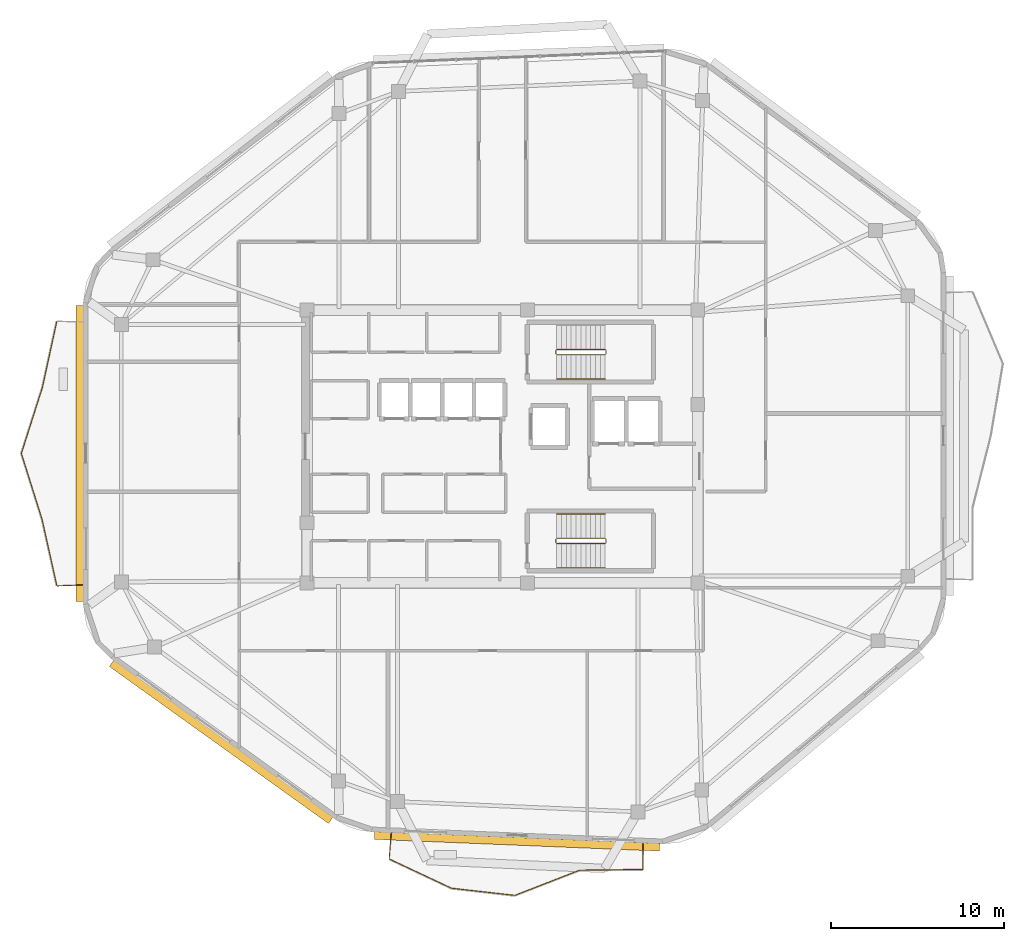
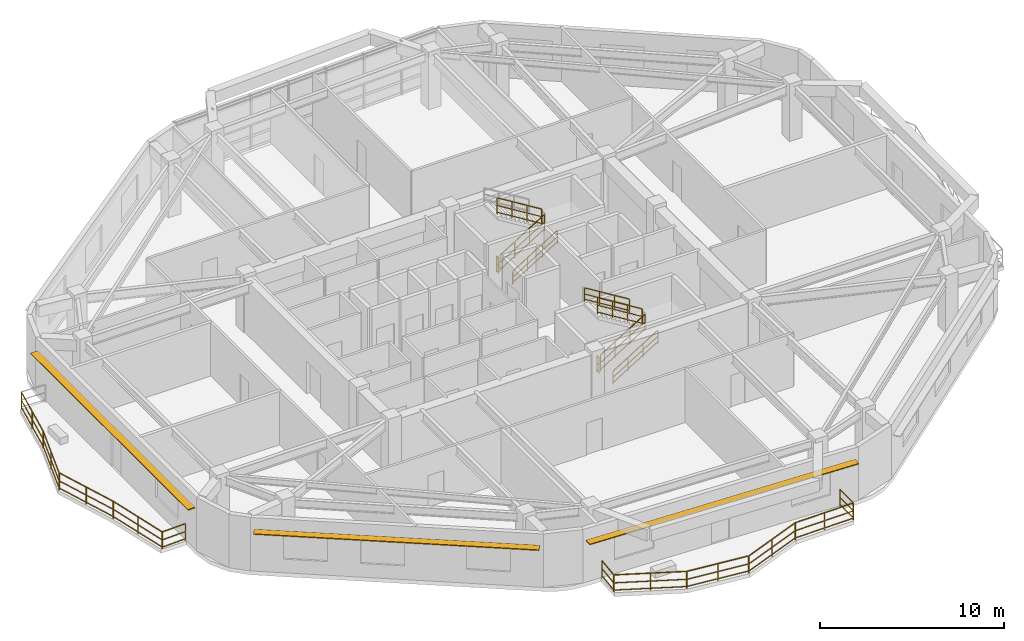
# One storey, part 10 of 12: 20 railings, 3 shading devices.
"""IFC4 building model written with IfcOpenShell, lengths in metres."""

import ifcopenshell
import ifcopenshell.guid

model = None  # the IFC model being written
_history = None  # IfcOwnerHistory: only IFC2X3 demands one
_inside = {}  # id of a spatial element -> (the spatial element, [elements in it])
_under = {}  # id of a project, library or spatial element -> (it, [spatial elements below it])
_declared = {}  # id of a project -> (the project, [libraries it declares])
_typed = {}  # id of a type object -> (the type object, [elements of that type])
_made_of = {}  # id of a material, layer set ... -> (it, [elements and type objects made of it])


def new_model(schema):
    """Start an empty IFC model of exactly this schema.

    Asked for "IFC4X3", IfcOpenShell would pick the latest addendum, in which some entities
    have other attributes; the version numbers below select the first issue.
    IFC2X3 requires an IfcOwnerHistory on every rooted entity: one is made here for all.
    """
    global model, _history
    if schema == "IFC4X3":
        model = ifcopenshell.file(schema_version=(4, 3, 0, 0))
    else:
        model = ifcopenshell.file(schema=schema)
    _inside.clear()
    _under.clear()
    _declared.clear()
    _typed.clear()
    _made_of.clear()
    _history = None
    if model.schema == "IFC2X3":
        org = make("IfcOrganization", Name="unknown")
        user = make(
            "IfcPersonAndOrganization",
            ThePerson=make("IfcPerson", FamilyName="unknown"),
            TheOrganization=org,
        )
        app = make(
            "IfcApplication",
            ApplicationDeveloper=org,
            Version="unknown",
            ApplicationFullName="unknown",
            ApplicationIdentifier="unknown",
        )
        _history = make(
            "IfcOwnerHistory",
            OwningUser=user,
            OwningApplication=app,
            ChangeAction="ADDED",
            CreationDate=0,
        )
    return model


def make(cls, **values):
    """One entity of the class cls with the attributes given. An attribute that is None is left unset."""
    return model.create_entity(
        cls, **{name: value for name, value in values.items() if value is not None}
    )


def rooted(cls, **values):
    """An entity with a GlobalId (a new one), such as an element, a storey or a relation."""
    return make(cls, GlobalId=ifcopenshell.guid.new(), OwnerHistory=_history, **values)


def si_unit(unit_type, name, prefix=None):
    """IfcSIUnit, for example si_unit("LENGTHUNIT", "METRE", prefix="MILLI")."""
    return make("IfcSIUnit", UnitType=unit_type, Prefix=prefix, Name=name)


def assignment(units):
    """IfcUnitAssignment: the units of a project."""
    return None if units is None else make("IfcUnitAssignment", Units=units)


def point(xyz):
    """IfcCartesianPoint."""
    return None if xyz is None else make("IfcCartesianPoint", Coordinates=xyz)


def direction(xyz):
    """IfcDirection."""
    return None if xyz is None else make("IfcDirection", DirectionRatios=xyz)


def frame(location, z_axis=None, x_axis=None):
    """IfcAxis2Placement3D, a coordinate frame: its origin and axes. An axis left out is left unset."""
    return make(
        "IfcAxis2Placement3D",
        Location=point(location),
        Axis=direction(z_axis),
        RefDirection=direction(x_axis),
    )


def frame_2d(location, x_axis=None):
    """IfcAxis2Placement2D, a coordinate frame in the plane: its origin and x axis."""
    return make(
        "IfcAxis2Placement2D", Location=point(location), RefDirection=direction(x_axis)
    )


def origin():
    """The frame at (0, 0, 0) with its axes left unset."""
    return frame((0.0, 0.0, 0.0))


def origin_2d():
    """The frame at (0, 0) in the plane with its x axis left unset."""
    return frame_2d((0.0, 0.0))


def place(relative_to, where):
    """IfcLocalPlacement: puts the frame where relative to a parent placement (None: the world)."""
    return make(
        "IfcLocalPlacement", PlacementRelTo=relative_to, RelativePlacement=where
    )


def context(
    kind, dimensions, precision=None, world=None, true_north=None, identifier=None
):
    """IfcGeometricRepresentationContext, for example the 3D "Model" context."""
    return make(
        "IfcGeometricRepresentationContext",
        ContextIdentifier=identifier,
        ContextType=kind,
        CoordinateSpaceDimension=dimensions,
        Precision=precision,
        WorldCoordinateSystem=world,
        TrueNorth=true_north,
    )


def subcontext(parent, identifier, kind, view, scale=None):
    """IfcGeometricRepresentationSubContext, for example "Body" below "Model"."""
    return make(
        "IfcGeometricRepresentationSubContext",
        ContextIdentifier=identifier,
        ContextType=kind,
        ParentContext=parent,
        TargetScale=scale,
        TargetView=view,
    )


def project(units=None, contexts=None):
    """IfcProject with its units and contexts."""
    return rooted(
        "IfcProject",
        Name="project",
        RepresentationContexts=contexts,
        UnitsInContext=assignment(units),
    )


def spatial(cls, under=None, at=None, **own):
    """A site, building, storey or space (cls), placed at a placement, below another one or the project."""
    s = rooted(cls, ObjectPlacement=at, **own)
    if under is not None:
        _under.setdefault(under.id(), (under, []))[1].append(s)
    return s


def profile(cls, at=None, kind="AREA", **sizes):
    """A parametric profile (cls). Its sizes go by their IFC names, for example OverallWidth=200.0."""
    return make(cls, ProfileType=kind, Position=at, **sizes)


def rectangle(**sizes):
    """IfcRectangleProfileDef."""
    return profile("IfcRectangleProfileDef", **sizes)


def extrude(swept, where, along, depth):
    """IfcExtrudedAreaSolid: the profile swept, set in the frame where, extruded along a direction by depth."""
    return make(
        "IfcExtrudedAreaSolid",
        SweptArea=swept,
        Position=where,
        ExtrudedDirection=direction(along),
        Depth=depth,
    )


def shape(context_of_items, identifier, shape_type, items):
    """IfcShapeRepresentation: the items that make up one representation, for example the "Body"."""
    return make(
        "IfcShapeRepresentation",
        ContextOfItems=context_of_items,
        RepresentationIdentifier=identifier,
        RepresentationType=shape_type,
        Items=items,
    )


def material(Name=None, Category=None):
    """IfcMaterial."""
    return make("IfcMaterial", Name=Name, Category=Category)


def layer(
    of_material, thickness, ventilated=None, Name=None, Category=None, Priority=None
):
    """IfcMaterialLayer: one layer of a wall or slab, of a material (None: an air gap)."""
    return make(
        "IfcMaterialLayer",
        Material=of_material,
        LayerThickness=thickness,
        IsVentilated=ventilated,
        Name=Name,
        Category=Category,
        Priority=Priority,
    )


def layer_set(layers, Name=None):
    """IfcMaterialLayerSet."""
    return make("IfcMaterialLayerSet", MaterialLayers=layers, LayerSetName=Name)


def made_of(thing, what):
    """Note that an element or type object is made of a material, layer set ...; save() writes the relation."""
    if what is not None:
        _made_of.setdefault(what.id(), (what, []))[1].append(thing)
    return thing


def type_object(cls, material=None, **own):
    """A type object (cls), such as IfcWallType, which elements share."""
    return made_of(rooted(cls, **own), material)


def element(
    cls,
    number,
    at=None,
    inside=None,
    cuts=None,
    type_object=None,
    material=None,
    context=None,
    identifier="Body",
    shape_type=None,
    held_by="IfcProductDefinitionShape",
    body=None,
    shapes=None,
    **own,
):
    """One element of the class cls, such as IfcWall. Its Tag is "e" and its number.

    at: its placement. inside: the storey or other place that contains it. cuts: it is an
    opening in that element (IfcRelVoidsElement). A single representation is given by context,
    identifier, shape_type and body (its items); several are given by shapes. held_by: the class
    of the entity that holds the representations. save() writes the other relations.
    """
    e = rooted(cls, Tag="e%d" % number, ObjectPlacement=at, **own)
    if body is not None:
        shapes = [shape(context, identifier, shape_type, body)]
    if shapes is not None:
        e.Representation = make(held_by, Representations=shapes)
    if inside is not None:
        _inside.setdefault(inside.id(), (inside, []))[1].append(e)
    if cuts is not None:
        rooted(
            "IfcRelVoidsElement", RelatingBuildingElement=cuts, RelatedOpeningElement=e
        )
    if type_object is not None:
        _typed.setdefault(type_object.id(), (type_object, []))[1].append(e)
    return made_of(e, material)


def aggregate(whole, parts):
    """IfcRelAggregates: a whole, such as a stair, and the parts it consists of."""
    return rooted("IfcRelAggregates", RelatingObject=whole, RelatedObjects=parts)


def save(model, path):
    """Write the relations noted so far, then the file.

    IfcRelAggregates (storeys below a building ...), IfcRelContainedInSpatialStructure (elements
    in a storey), IfcRelDefinesByType, IfcRelAssociatesMaterial and IfcRelDeclares: one each for
    every whole, place, type object, material and project.
    """
    for whole, parts in _under.values():
        aggregate(whole, parts)
    for where, things in _inside.values():
        rooted(
            "IfcRelContainedInSpatialStructure",
            RelatedElements=things,
            RelatingStructure=where,
        )
    for kind, things in _typed.values():
        rooted("IfcRelDefinesByType", RelatedObjects=things, RelatingType=kind)
    for what, things in _made_of.values():
        rooted("IfcRelAssociatesMaterial", RelatedObjects=things, RelatingMaterial=what)
    for by, libraries in _declared.values():
        rooted("IfcRelDeclares", RelatingContext=by, RelatedDefinitions=libraries)
    model.write(path)


model = new_model("IFC4")

# Units and contexts
model_context = context("Model", 3, precision=1e-05, world=origin(), true_north=direction((0.0, 1.0)))
body_context = subcontext(model_context, "Body", "Model", "MODEL_VIEW")
ifc_project = project(units=[si_unit("LENGTHUNIT", "METRE"), si_unit("AREAUNIT", "SQUARE_METRE"), si_unit("VOLUMEUNIT", "CUBIC_METRE"), si_unit("PLANEANGLEUNIT", "RADIAN"), si_unit("MASSUNIT", "GRAM", prefix="KILO")], contexts=[model_context])

# Site, building, storey
site_placement = place(None, origin())
site = spatial("IfcSite", under=ifc_project, at=site_placement, CompositionType="ELEMENT")
building_placement = place(site_placement, origin())
building = spatial("IfcBuilding", under=site, at=building_placement, Name="Zulverin Broadcast Headquarters", CompositionType="ELEMENT")
storey_placement = place(building_placement, frame((0.0, 0.0, 293.39990234375)))
storey = spatial("IfcBuildingStorey", under=building, at=storey_placement, Name="L75", CompositionType="ELEMENT", Elevation=293.39990234375)

# Railings
ifc_material_1 = material(Name="Brushed stainless steel & laminated glass balustrade", Category="steel")
railing_type_1 = type_object("IfcRailingType", Name="RL-GUARD-1150", PredefinedType="GUARDRAIL", material=ifc_material_1)
railing_1_placement = place(storey_placement, frame((30.580078125, 2.86572265625, 0.0)))
element("IfcRailing", 1, at=railing_1_placement, inside=storey, type_object=railing_type_1, Name="L75 Vertical-Forest Balcony Guardrail BAL_S Segment 01", PredefinedType="GUARDRAIL", context=body_context, shape_type="SweptSolid", body=[
    extrude(rectangle(XDim=0.048095703125, YDim=0.048095703125, at=origin_2d()), frame((0.0, 0.0, 1.1259765625), z_axis=(-0.08159832835, -0.996665296281, 0.0), x_axis=(0.996665296281, -0.08159832835, 0.0)), (0.0, 0.0, 1.0), 1.466064453125),
    extrude(rectangle(XDim=0.0419921875, YDim=0.0419921875, at=origin_2d()), frame((0.0, 0.0, 0.597900390625), z_axis=(-0.08159832835, -0.996665296281, 0.0), x_axis=(0.996665296281, -0.08159832835, 0.0)), (0.0, 0.0, 1.0), 1.466064453125),
    extrude(rectangle(XDim=0.0419921875, YDim=0.0419921875, at=origin_2d()), frame((0.0, 0.0, 0.1201171875), z_axis=(-0.08159832835, -0.996665296281, 0.0), x_axis=(0.996665296281, -0.08159832835, 0.0)), (0.0, 0.0, 1.0), 1.466064453125),
    extrude(rectangle(XDim=0.0419921875, YDim=0.0419921875, at=origin_2d()), origin(), (0.0, 0.0, 1.0), 1.101806640625),
    extrude(rectangle(XDim=0.0419921875, YDim=0.0419921875, at=origin_2d()), frame((-0.11962890625, -1.461181640625, 0.0)), (0.0, 0.0, 1.0), 1.101806640625),
])
railing_2_placement = place(storey_placement, frame((30.472900390625, 1.383056640625, 0.0)))
element("IfcRailing", 2, at=railing_2_placement, inside=storey, type_object=railing_type_1, Name="L75 Vertical-Forest Balcony Guardrail BAL_S Segment 02", PredefinedType="GUARDRAIL", context=body_context, shape_type="SweptSolid", body=[
    extrude(rectangle(XDim=0.048095703125, YDim=0.048095703125, at=origin_2d()), frame((0.0, 0.0, 1.1259765625), z_axis=(0.905312629382, -0.424745857049, 0.0), x_axis=(0.424745857049, 0.905312629382, 0.0)), (0.0, 0.0, 1.0), 3.949462890625),
    extrude(rectangle(XDim=0.0419921875, YDim=0.0419921875, at=origin_2d()), frame((0.0, 0.0, 0.597900390625), z_axis=(0.905312629382, -0.424745857049, 0.0), x_axis=(0.424745857049, 0.905312629382, 0.0)), (0.0, 0.0, 1.0), 3.949462890625),
    extrude(rectangle(XDim=0.0419921875, YDim=0.0419921875, at=origin_2d()), frame((0.0, 0.0, 0.1201171875), z_axis=(0.905312629382, -0.424745857049, 0.0), x_axis=(0.424745857049, 0.905312629382, 0.0)), (0.0, 0.0, 1.0), 3.949462890625),
    extrude(rectangle(XDim=0.0419921875, YDim=0.0419921875, at=origin_2d()), origin(), (0.0, 0.0, 1.0), 1.101806640625),
    extrude(rectangle(XDim=0.0419921875, YDim=0.0419921875, at=origin_2d()), frame((1.78759765625, -0.8388671875, 0.0)), (0.0, 0.0, 1.0), 1.101806640625),
    extrude(rectangle(XDim=0.0419921875, YDim=0.0419921875, at=origin_2d()), frame((3.575439453125, -1.677490234375, 0.0)), (0.0, 0.0, 1.0), 1.101806640625),
])
railing_3_placement = place(storey_placement, frame((34.076904296875, -0.302490234375, 0.0)))
element("IfcRailing", 3, at=railing_3_placement, inside=storey, type_object=railing_type_1, Name="L75 Vertical-Forest Balcony Guardrail BAL_S Segment 03", PredefinedType="GUARDRAIL", context=body_context, shape_type="SweptSolid", body=[
    extrude(rectangle(XDim=0.048095703125, YDim=0.048095703125, at=origin_2d()), frame((0.0, 0.0, 1.1259765625), z_axis=(0.993697909908, -0.11209131922, 0.0), x_axis=(0.11209131922, 0.993697909908, 0.0)), (0.0, 0.0, 1.0), 3.648193359375),
    extrude(rectangle(XDim=0.0419921875, YDim=0.0419921875, at=origin_2d()), frame((0.0, 0.0, 0.597900390625), z_axis=(0.993697909908, -0.11209131922, 0.0), x_axis=(0.11209131922, 0.993697909908, 0.0)), (0.0, 0.0, 1.0), 3.648193359375),
    extrude(rectangle(XDim=0.0419921875, YDim=0.0419921875, at=origin_2d()), frame((0.0, 0.0, 0.1201171875), z_axis=(0.993697909908, -0.11209131922, 0.0), x_axis=(0.11209131922, 0.993697909908, 0.0)), (0.0, 0.0, 1.0), 3.648193359375),
    extrude(rectangle(XDim=0.0419921875, YDim=0.0419921875, at=origin_2d()), origin(), (0.0, 0.0, 1.0), 1.101806640625),
    extrude(rectangle(XDim=0.0419921875, YDim=0.0419921875, at=origin_2d()), frame((1.8125, -0.20458984375, 0.0)), (0.0, 0.0, 1.0), 1.101806640625),
    extrude(rectangle(XDim=0.0419921875, YDim=0.0419921875, at=origin_2d()), frame((3.625244140625, -0.408935546875, 0.0)), (0.0, 0.0, 1.0), 1.101806640625),
])
railing_4_placement = place(storey_placement, frame((37.731201171875, -0.707763671875, 0.0)))
element("IfcRailing", 4, at=railing_4_placement, inside=storey, type_object=railing_type_1, Name="L75 Vertical-Forest Balcony Guardrail BAL_S Segment 04", PredefinedType="GUARDRAIL", context=body_context, shape_type="SweptSolid", body=[
    extrude(rectangle(XDim=0.048095703125, YDim=0.048095703125, at=origin_2d()), frame((0.0, 0.0, 1.1259765625), z_axis=(0.931972385527, 0.362529271391, 0.0), x_axis=(-0.362529271391, 0.931972385527, 0.0)), (0.0, 0.0, 1.0), 3.973876953125),
    extrude(rectangle(XDim=0.0419921875, YDim=0.0419921875, at=origin_2d()), frame((0.0, 0.0, 0.597900390625), z_axis=(0.931972385527, 0.362529271391, 0.0), x_axis=(-0.362529271391, 0.931972385527, 0.0)), (0.0, 0.0, 1.0), 3.973876953125),
    extrude(rectangle(XDim=0.0419921875, YDim=0.0419921875, at=origin_2d()), frame((0.0, 0.0, 0.1201171875), z_axis=(0.931972385527, 0.362529271391, 0.0), x_axis=(-0.362529271391, 0.931972385527, 0.0)), (0.0, 0.0, 1.0), 3.973876953125),
    extrude(rectangle(XDim=0.0419921875, YDim=0.0419921875, at=origin_2d()), origin(), (0.0, 0.0, 1.0), 1.101806640625),
    extrude(rectangle(XDim=0.0419921875, YDim=0.0419921875, at=origin_2d()), frame((1.851806640625, 0.72021484375, 0.0)), (0.0, 0.0, 1.0), 1.101806640625),
    extrude(rectangle(XDim=0.0419921875, YDim=0.0419921875, at=origin_2d()), frame((3.70361328125, 1.440673828125, 0.0)), (0.0, 0.0, 1.0), 1.101806640625),
])
railing_5_placement = place(storey_placement, frame((41.4638671875, 0.73828125, 0.0)))
element("IfcRailing", 5, at=railing_5_placement, inside=storey, type_object=railing_type_1, Name="L75 Vertical-Forest Balcony Guardrail BAL_S Segment 05", PredefinedType="GUARDRAIL", context=body_context, shape_type="SweptSolid", body=[
    extrude(rectangle(XDim=0.048095703125, YDim=0.048095703125, at=origin_2d()), frame((0.0, 0.0, 1.1259765625), z_axis=(0.999912025624, 0.013264275832, 0.0), x_axis=(-0.013264275832, 0.999912025624, 0.0)), (0.0, 0.0, 1.0), 3.644287109375),
    extrude(rectangle(XDim=0.0419921875, YDim=0.0419921875, at=origin_2d()), frame((0.0, 0.0, 0.597900390625), z_axis=(0.999912025624, 0.013264275832, 0.0), x_axis=(-0.013264275832, 0.999912025624, 0.0)), (0.0, 0.0, 1.0), 3.644287109375),
    extrude(rectangle(XDim=0.0419921875, YDim=0.0419921875, at=origin_2d()), frame((0.0, 0.0, 0.1201171875), z_axis=(0.999912025624, 0.013264275832, 0.0), x_axis=(-0.013264275832, 0.999912025624, 0.0)), (0.0, 0.0, 1.0), 3.644287109375),
    extrude(rectangle(XDim=0.0419921875, YDim=0.0419921875, at=origin_2d()), origin(), (0.0, 0.0, 1.0), 1.101806640625),
    extrude(rectangle(XDim=0.0419921875, YDim=0.0419921875, at=origin_2d()), frame((1.822021484375, 0.024169921875, 0.0)), (0.0, 0.0, 1.0), 1.101806640625),
    extrude(rectangle(XDim=0.0419921875, YDim=0.0419921875, at=origin_2d()), frame((3.64404296875, 0.04833984375, 0.0)), (0.0, 0.0, 1.0), 1.101806640625),
])
railing_6_placement = place(storey_placement, frame((45.123046875, 0.8017578125, 0.0)))
element("IfcRailing", 6, at=railing_6_placement, inside=storey, type_object=railing_type_1, Name="L75 Vertical-Forest Balcony Guardrail BAL_S Segment 06", PredefinedType="GUARDRAIL", context=body_context, shape_type="SweptSolid", body=[
    extrude(rectangle(XDim=0.048095703125, YDim=0.048095703125, at=origin_2d()), frame((0.0, 0.0, 1.1259765625), z_axis=(0.000499500437, 0.99999987525, 0.0), x_axis=(-0.99999987525, 0.000499500437, 0.0)), (0.0, 0.0, 1.0), 1.46630859375),
    extrude(rectangle(XDim=0.0419921875, YDim=0.0419921875, at=origin_2d()), frame((0.0, 0.0, 0.597900390625), z_axis=(0.000499500437, 0.99999987525, 0.0), x_axis=(-0.99999987525, 0.000499500437, 0.0)), (0.0, 0.0, 1.0), 1.46630859375),
    extrude(rectangle(XDim=0.0419921875, YDim=0.0419921875, at=origin_2d()), frame((0.0, 0.0, 0.1201171875), z_axis=(0.000499500437, 0.99999987525, 0.0), x_axis=(-0.99999987525, 0.000499500437, 0.0)), (0.0, 0.0, 1.0), 1.46630859375),
    extrude(rectangle(XDim=0.0419921875, YDim=0.0419921875, at=origin_2d()), origin(), (0.0, 0.0, 1.0), 1.101806640625),
    extrude(rectangle(XDim=0.0419921875, YDim=0.0419921875, at=origin_2d()), frame((0.000732421875, 1.46630859375, 0.0)), (0.0, 0.0, 1.0), 1.101806640625),
])
railing_7_placement = place(storey_placement, frame((11.27685546875, 32.433349609375, 0.0)))
element("IfcRailing", 7, at=railing_7_placement, inside=storey, type_object=railing_type_1, Name="L75 Vertical-Forest Balcony Guardrail BAL_W Segment 02", PredefinedType="GUARDRAIL", context=body_context, shape_type="SweptSolid", body=[
    extrude(rectangle(XDim=0.048095703125, YDim=0.048095703125, at=origin_2d()), frame((0.0, 0.0, 1.1259765625), z_axis=(-0.212554923613, -0.977149120886, 0.0), x_axis=(0.977149120886, -0.212554923613, 0.0)), (0.0, 0.0, 1.0), 3.88330078125),
    extrude(rectangle(XDim=0.0419921875, YDim=0.0419921875, at=origin_2d()), frame((0.0, 0.0, 0.597900390625), z_axis=(-0.212554923613, -0.977149120886, 0.0), x_axis=(0.977149120886, -0.212554923613, 0.0)), (0.0, 0.0, 1.0), 3.88330078125),
    extrude(rectangle(XDim=0.0419921875, YDim=0.0419921875, at=origin_2d()), frame((0.0, 0.0, 0.1201171875), z_axis=(-0.212554923613, -0.977149120886, 0.0), x_axis=(0.977149120886, -0.212554923613, 0.0)), (0.0, 0.0, 1.0), 3.88330078125),
    extrude(rectangle(XDim=0.0419921875, YDim=0.0419921875, at=origin_2d()), origin(), (0.0, 0.0, 1.0), 1.101806640625),
    extrude(rectangle(XDim=0.0419921875, YDim=0.0419921875, at=origin_2d()), frame((-0.41259765625, -1.8974609375, 0.0)), (0.0, 0.0, 1.0), 1.101806640625),
    extrude(rectangle(XDim=0.0419921875, YDim=0.0419921875, at=origin_2d()), frame((-0.825439453125, -3.794677734375, 0.0)), (0.0, 0.0, 1.0), 1.101806640625),
])
railing_8_placement = place(storey_placement, frame((10.443603515625, 28.609619140625, 0.0)))
element("IfcRailing", 8, at=railing_8_placement, inside=storey, type_object=railing_type_1, Name="L75 Vertical-Forest Balcony Guardrail BAL_W Segment 03", PredefinedType="GUARDRAIL", context=body_context, shape_type="SweptSolid", body=[
    extrude(rectangle(XDim=0.048095703125, YDim=0.048095703125, at=origin_2d()), frame((0.0, 0.0, 1.1259765625), z_axis=(-0.303512280467, -0.952827526684, 0.0), x_axis=(0.952827526684, -0.303512280467, 0.0)), (0.0, 0.0, 1.0), 3.9833984375),
    extrude(rectangle(XDim=0.0419921875, YDim=0.0419921875, at=origin_2d()), frame((0.0, 0.0, 0.597900390625), z_axis=(-0.303512280467, -0.952827526684, 0.0), x_axis=(0.952827526684, -0.303512280467, 0.0)), (0.0, 0.0, 1.0), 3.9833984375),
    extrude(rectangle(XDim=0.0419921875, YDim=0.0419921875, at=origin_2d()), frame((0.0, 0.0, 0.1201171875), z_axis=(-0.303512280467, -0.952827526684, 0.0), x_axis=(0.952827526684, -0.303512280467, 0.0)), (0.0, 0.0, 1.0), 3.9833984375),
    extrude(rectangle(XDim=0.0419921875, YDim=0.0419921875, at=origin_2d()), origin(), (0.0, 0.0, 1.0), 1.101806640625),
    extrude(rectangle(XDim=0.0419921875, YDim=0.0419921875, at=origin_2d()), frame((-0.6044921875, -1.897705078125, 0.0)), (0.0, 0.0, 1.0), 1.101806640625),
    extrude(rectangle(XDim=0.0419921875, YDim=0.0419921875, at=origin_2d()), frame((-1.208984375, -3.79541015625, 0.0)), (0.0, 0.0, 1.0), 1.101806640625),
])
railing_9_placement = place(storey_placement, frame((9.234619140625, 24.785400390625, 0.0)))
element("IfcRailing", 9, at=railing_9_placement, inside=storey, type_object=railing_type_1, Name="L75 Vertical-Forest Balcony Guardrail BAL_W Segment 04", PredefinedType="GUARDRAIL", context=body_context, shape_type="SweptSolid", body=[
    extrude(rectangle(XDim=0.048095703125, YDim=0.048095703125, at=origin_2d()), frame((0.0, 0.0, 1.1259765625), z_axis=(0.299330213992, -0.954149581036, 0.0), x_axis=(0.954149581036, 0.299330213992, 0.0)), (0.0, 0.0, 1.0), 3.977783203125),
    extrude(rectangle(XDim=0.0419921875, YDim=0.0419921875, at=origin_2d()), frame((0.0, 0.0, 0.597900390625), z_axis=(0.299330213992, -0.954149581036, 0.0), x_axis=(0.954149581036, 0.299330213992, 0.0)), (0.0, 0.0, 1.0), 3.977783203125),
    extrude(rectangle(XDim=0.0419921875, YDim=0.0419921875, at=origin_2d()), frame((0.0, 0.0, 0.1201171875), z_axis=(0.299330213992, -0.954149581036, 0.0), x_axis=(0.954149581036, 0.299330213992, 0.0)), (0.0, 0.0, 1.0), 3.977783203125),
    extrude(rectangle(XDim=0.0419921875, YDim=0.0419921875, at=origin_2d()), origin(), (0.0, 0.0, 1.0), 1.101806640625),
    extrude(rectangle(XDim=0.0419921875, YDim=0.0419921875, at=origin_2d()), frame((0.59521484375, -1.897705078125, 0.0)), (0.0, 0.0, 1.0), 1.101806640625),
    extrude(rectangle(XDim=0.0419921875, YDim=0.0419921875, at=origin_2d()), frame((1.190673828125, -3.79541015625, 0.0)), (0.0, 0.0, 1.0), 1.101806640625),
])
railing_10_placement = place(storey_placement, frame((10.43310546875, 20.961181640625, 0.0)))
element("IfcRailing", 10, at=railing_10_placement, inside=storey, type_object=railing_type_1, Name="L75 Vertical-Forest Balcony Guardrail BAL_W Segment 05", PredefinedType="GUARDRAIL", context=body_context, shape_type="SweptSolid", body=[
    extrude(rectangle(XDim=0.048095703125, YDim=0.048095703125, at=origin_2d()), frame((0.0, 0.0, 1.1259765625), z_axis=(0.216977004099, -0.976176715402, 0.0), x_axis=(0.976176715402, 0.216977004099, 0.0)), (0.0, 0.0, 1.0), 3.887451171875),
    extrude(rectangle(XDim=0.0419921875, YDim=0.0419921875, at=origin_2d()), frame((0.0, 0.0, 0.597900390625), z_axis=(0.216977004099, -0.976176715402, 0.0), x_axis=(0.976176715402, 0.216977004099, 0.0)), (0.0, 0.0, 1.0), 3.887451171875),
    extrude(rectangle(XDim=0.0419921875, YDim=0.0419921875, at=origin_2d()), frame((0.0, 0.0, 0.1201171875), z_axis=(0.216977004099, -0.976176715402, 0.0), x_axis=(0.976176715402, 0.216977004099, 0.0)), (0.0, 0.0, 1.0), 3.887451171875),
    extrude(rectangle(XDim=0.0419921875, YDim=0.0419921875, at=origin_2d()), origin(), (0.0, 0.0, 1.0), 1.101806640625),
    extrude(rectangle(XDim=0.0419921875, YDim=0.0419921875, at=origin_2d()), frame((0.421875, -1.8974609375, 0.0)), (0.0, 0.0, 1.0), 1.101806640625),
    extrude(rectangle(XDim=0.0419921875, YDim=0.0419921875, at=origin_2d()), frame((0.843505859375, -3.794921875, 0.0)), (0.0, 0.0, 1.0), 1.101806640625),
])
railing_11_placement = place(storey_placement, frame((11.294921875, 17.15234375, 0.0)))
element("IfcRailing", 11, at=railing_11_placement, inside=storey, type_object=railing_type_1, Name="L75 Vertical-Forest Balcony Guardrail BAL_W Segment 06", PredefinedType="GUARDRAIL", context=body_context, shape_type="SweptSolid", body=[
    extrude(rectangle(XDim=0.048095703125, YDim=0.048095703125, at=origin_2d()), frame((0.0, 0.0, 1.1259765625), z_axis=(0.999181155166, 0.040460093435, 0.0), x_axis=(-0.040460093435, 0.999181155166, 0.0)), (0.0, 0.0, 1.0), 1.46630859375),
    extrude(rectangle(XDim=0.0419921875, YDim=0.0419921875, at=origin_2d()), frame((0.0, 0.0, 0.597900390625), z_axis=(0.999181155166, 0.040460093435, 0.0), x_axis=(-0.040460093435, 0.999181155166, 0.0)), (0.0, 0.0, 1.0), 1.46630859375),
    extrude(rectangle(XDim=0.0419921875, YDim=0.0419921875, at=origin_2d()), frame((0.0, 0.0, 0.1201171875), z_axis=(0.999181155166, 0.040460093435, 0.0), x_axis=(-0.040460093435, 0.999181155166, 0.0)), (0.0, 0.0, 1.0), 1.46630859375),
    extrude(rectangle(XDim=0.0419921875, YDim=0.0419921875, at=origin_2d()), origin(), (0.0, 0.0, 1.0), 1.101806640625),
    extrude(rectangle(XDim=0.0419921875, YDim=0.0419921875, at=origin_2d()), frame((1.465087890625, 0.059326171875, 0.0)), (0.0, 0.0, 1.0), 1.101806640625),
])
ifc_material_2 = material(Name="Painted galvanized steel tubular guardrail S355JR", Category="steel")
railing_type_2 = type_object("IfcRailingType", Name="RL-ST-GUARD", PredefinedType="GUARDRAIL", material=ifc_material_2)
railing_12_placement = place(storey_placement, frame((40.1298828125, 30.5, 0.1728515625)))
element("IfcRailing", 12, at=railing_12_placement, inside=storey, type_object=railing_type_2, Name="L75 ST-1 stair guard 1", PredefinedType="GUARDRAIL", context=body_context, shape_type="SweptSolid", body=[
    extrude(rectangle(XDim=0.048095703125, YDim=0.048095703125, at=origin_2d()), frame((0.0, 0.0, 1.076171875), z_axis=(0.851089632645, 0.0, 0.525020415988), x_axis=(0.0, 1.0, 0.0)), (0.0, 0.0, 1.0), 3.2900390625),
    extrude(rectangle(XDim=0.0419921875, YDim=0.0419921875, at=origin_2d()), frame((0.0, 0.0, 0.572021484375), z_axis=(0.851089632645, 0.0, 0.525020415988), x_axis=(0.0, 1.0, 0.0)), (0.0, 0.0, 1.0), 3.2900390625),
    extrude(rectangle(XDim=0.0419921875, YDim=0.0419921875, at=origin_2d()), frame((0.0, 0.0, 0.1201171875), z_axis=(0.851089632645, 0.0, 0.525020415988), x_axis=(0.0, 1.0, 0.0)), (0.0, 0.0, 1.0), 3.2900390625),
    extrude(rectangle(XDim=0.0419921875, YDim=0.0419921875, at=origin_2d()), origin(), (0.0, 0.0, 1.0), 1.052001953125),
    extrude(rectangle(XDim=0.0419921875, YDim=0.0419921875, at=origin_2d()), frame((0.933349609375, 0.0, 0.57568359375)), (0.0, 0.0, 1.0), 1.052001953125),
    extrude(rectangle(XDim=0.0419921875, YDim=0.0419921875, at=origin_2d()), frame((1.86669921875, 0.0, 1.151611328125)), (0.0, 0.0, 1.0), 1.052001953125),
    extrude(rectangle(XDim=0.0419921875, YDim=0.0419921875, at=origin_2d()), frame((2.800048828125, 0.0, 1.727294921875)), (0.0, 0.0, 1.0), 1.052001953125),
])
railing_13_placement = place(storey_placement, frame((42.929931640625, 30.800048828125, 2.07275390625)))
element("IfcRailing", 13, at=railing_13_placement, inside=storey, type_object=railing_type_2, Name="L75 ST-1 stair guard 3", PredefinedType="GUARDRAIL", context=body_context, shape_type="SweptSolid", body=[
    extrude(rectangle(XDim=0.048095703125, YDim=0.048095703125, at=origin_2d()), frame((0.0, 0.0, 1.076171875), z_axis=(-0.851089632645, 0.0, 0.525020415988), x_axis=(0.0, -1.0, 0.0)), (0.0, 0.0, 1.0), 3.2900390625),
    extrude(rectangle(XDim=0.0419921875, YDim=0.0419921875, at=origin_2d()), frame((0.0, 0.0, 0.572021484375), z_axis=(-0.851089632645, 0.0, 0.525020415988), x_axis=(0.0, -1.0, 0.0)), (0.0, 0.0, 1.0), 3.2900390625),
    extrude(rectangle(XDim=0.0419921875, YDim=0.0419921875, at=origin_2d()), frame((0.0, 0.0, 0.1201171875), z_axis=(-0.851089632645, 0.0, 0.525020415988), x_axis=(0.0, -1.0, 0.0)), (0.0, 0.0, 1.0), 3.2900390625),
    extrude(rectangle(XDim=0.0419921875, YDim=0.0419921875, at=origin_2d()), origin(), (0.0, 0.0, 1.0), 1.052001953125),
    extrude(rectangle(XDim=0.0419921875, YDim=0.0419921875, at=origin_2d()), frame((-0.933349609375, 0.0, 0.57568359375)), (0.0, 0.0, 1.0), 1.052001953125),
    extrude(rectangle(XDim=0.0419921875, YDim=0.0419921875, at=origin_2d()), frame((-1.86669921875, 0.0, 1.151611328125)), (0.0, 0.0, 1.0), 1.052001953125),
    extrude(rectangle(XDim=0.0419921875, YDim=0.0419921875, at=origin_2d()), frame((-2.800048828125, 0.0, 1.727294921875)), (0.0, 0.0, 1.0), 1.052001953125),
])
railing_14_placement = place(storey_placement, frame((40.080078125, 30.550048828125, 0.0)))
element("IfcRailing", 14, at=railing_14_placement, inside=storey, type_object=railing_type_2, Name="L75 ST-1 stair guard 4", PredefinedType="GUARDRAIL", context=body_context, shape_type="SweptSolid", body=[
    extrude(rectangle(XDim=0.048095703125, YDim=0.048095703125, at=origin_2d()), frame((0.0, 0.0, 1.076171875), z_axis=(0.0, 1.0, 0.0), x_axis=(-1.0, 0.0, 0.0)), (0.0, 0.0, 1.0), 0.199951171875),
    extrude(rectangle(XDim=0.0419921875, YDim=0.0419921875, at=origin_2d()), frame((0.0, 0.0, 0.572021484375), z_axis=(0.0, 1.0, 0.0), x_axis=(-1.0, 0.0, 0.0)), (0.0, 0.0, 1.0), 0.199951171875),
    extrude(rectangle(XDim=0.0419921875, YDim=0.0419921875, at=origin_2d()), frame((0.0, 0.0, 0.1201171875), z_axis=(0.0, 1.0, 0.0), x_axis=(-1.0, 0.0, 0.0)), (0.0, 0.0, 1.0), 0.199951171875),
    extrude(rectangle(XDim=0.0419921875, YDim=0.0419921875, at=origin_2d()), origin(), (0.0, 0.0, 1.0), 1.052001953125),
    extrude(rectangle(XDim=0.0419921875, YDim=0.0419921875, at=origin_2d()), frame((0.0, 0.199951171875, 0.0)), (0.0, 0.0, 1.0), 1.052001953125),
])
railing_15_placement = place(storey_placement, frame((40.1298828125, 19.60009765625, 0.1728515625)))
element("IfcRailing", 15, at=railing_15_placement, inside=storey, type_object=railing_type_2, Name="L75 ST-2 stair guard 1", PredefinedType="GUARDRAIL", context=body_context, shape_type="SweptSolid", body=[
    extrude(rectangle(XDim=0.048095703125, YDim=0.048095703125, at=origin_2d()), frame((0.0, 0.0, 1.076171875), z_axis=(0.851089632645, 0.0, 0.525020415988), x_axis=(0.0, 1.0, 0.0)), (0.0, 0.0, 1.0), 3.2900390625),
    extrude(rectangle(XDim=0.0419921875, YDim=0.0419921875, at=origin_2d()), frame((0.0, 0.0, 0.572021484375), z_axis=(0.851089632645, 0.0, 0.525020415988), x_axis=(0.0, 1.0, 0.0)), (0.0, 0.0, 1.0), 3.2900390625),
    extrude(rectangle(XDim=0.0419921875, YDim=0.0419921875, at=origin_2d()), frame((0.0, 0.0, 0.1201171875), z_axis=(0.851089632645, 0.0, 0.525020415988), x_axis=(0.0, 1.0, 0.0)), (0.0, 0.0, 1.0), 3.2900390625),
    extrude(rectangle(XDim=0.0419921875, YDim=0.0419921875, at=origin_2d()), origin(), (0.0, 0.0, 1.0), 1.052001953125),
    extrude(rectangle(XDim=0.0419921875, YDim=0.0419921875, at=origin_2d()), frame((0.933349609375, 0.0, 0.57568359375)), (0.0, 0.0, 1.0), 1.052001953125),
    extrude(rectangle(XDim=0.0419921875, YDim=0.0419921875, at=origin_2d()), frame((1.86669921875, 0.0, 1.151611328125)), (0.0, 0.0, 1.0), 1.052001953125),
    extrude(rectangle(XDim=0.0419921875, YDim=0.0419921875, at=origin_2d()), frame((2.800048828125, 0.0, 1.727294921875)), (0.0, 0.0, 1.0), 1.052001953125),
])
railing_16_placement = place(storey_placement, frame((42.929931640625, 19.89990234375, 2.07275390625)))
element("IfcRailing", 16, at=railing_16_placement, inside=storey, type_object=railing_type_2, Name="L75 ST-2 stair guard 3", PredefinedType="GUARDRAIL", context=body_context, shape_type="SweptSolid", body=[
    extrude(rectangle(XDim=0.048095703125, YDim=0.048095703125, at=origin_2d()), frame((0.0, 0.0, 1.076171875), z_axis=(-0.851089632645, 0.0, 0.525020415988), x_axis=(0.0, -1.0, 0.0)), (0.0, 0.0, 1.0), 3.2900390625),
    extrude(rectangle(XDim=0.0419921875, YDim=0.0419921875, at=origin_2d()), frame((0.0, 0.0, 0.572021484375), z_axis=(-0.851089632645, 0.0, 0.525020415988), x_axis=(0.0, -1.0, 0.0)), (0.0, 0.0, 1.0), 3.2900390625),
    extrude(rectangle(XDim=0.0419921875, YDim=0.0419921875, at=origin_2d()), frame((0.0, 0.0, 0.1201171875), z_axis=(-0.851089632645, 0.0, 0.525020415988), x_axis=(0.0, -1.0, 0.0)), (0.0, 0.0, 1.0), 3.2900390625),
    extrude(rectangle(XDim=0.0419921875, YDim=0.0419921875, at=origin_2d()), origin(), (0.0, 0.0, 1.0), 1.052001953125),
    extrude(rectangle(XDim=0.0419921875, YDim=0.0419921875, at=origin_2d()), frame((-0.933349609375, 0.0, 0.57568359375)), (0.0, 0.0, 1.0), 1.052001953125),
    extrude(rectangle(XDim=0.0419921875, YDim=0.0419921875, at=origin_2d()), frame((-1.86669921875, 0.0, 1.151611328125)), (0.0, 0.0, 1.0), 1.052001953125),
    extrude(rectangle(XDim=0.0419921875, YDim=0.0419921875, at=origin_2d()), frame((-2.800048828125, 0.0, 1.727294921875)), (0.0, 0.0, 1.0), 1.052001953125),
])
railing_17_placement = place(storey_placement, frame((40.080078125, 19.64990234375, 0.0)))
element("IfcRailing", 17, at=railing_17_placement, inside=storey, type_object=railing_type_2, Name="L75 ST-2 stair guard 4", PredefinedType="GUARDRAIL", context=body_context, shape_type="SweptSolid", body=[
    extrude(rectangle(XDim=0.048095703125, YDim=0.048095703125, at=origin_2d()), frame((0.0, 0.0, 1.076171875), z_axis=(0.0, 1.0, 0.0), x_axis=(-1.0, 0.0, 0.0)), (0.0, 0.0, 1.0), 0.2001953125),
    extrude(rectangle(XDim=0.0419921875, YDim=0.0419921875, at=origin_2d()), frame((0.0, 0.0, 0.572021484375), z_axis=(0.0, 1.0, 0.0), x_axis=(-1.0, 0.0, 0.0)), (0.0, 0.0, 1.0), 0.2001953125),
    extrude(rectangle(XDim=0.0419921875, YDim=0.0419921875, at=origin_2d()), frame((0.0, 0.0, 0.1201171875), z_axis=(0.0, 1.0, 0.0), x_axis=(-1.0, 0.0, 0.0)), (0.0, 0.0, 1.0), 0.2001953125),
    extrude(rectangle(XDim=0.0419921875, YDim=0.0419921875, at=origin_2d()), origin(), (0.0, 0.0, 1.0), 1.052001953125),
    extrude(rectangle(XDim=0.0419921875, YDim=0.0419921875, at=origin_2d()), frame((0.0, 0.2001953125, 0.0)), (0.0, 0.0, 1.0), 1.052001953125),
])
ifc_material_3 = material(Name="Brushed stainless steel 48 mm handrail", Category="steel")
railing_type_3 = type_object("IfcRailingType", Name="RL-ST-HAND", PredefinedType="HANDRAIL", material=ifc_material_3)
for number, where, name in (
    (18, (40.1298828125, 29.10009765625, 0.1728515625), "L75 ST-1 stair handrail 1"),
    (19, (40.1298828125, 18.199951171875, 0.1728515625), "L75 ST-2 stair handrail 1"),
):
    element("IfcRailing", number, at=place(storey_placement, frame(where)), inside=storey, type_object=railing_type_3, Name=name, PredefinedType="HANDRAIL", context=body_context, shape_type="SweptSolid", body=[
        extrude(rectangle(XDim=0.048095703125, YDim=0.048095703125, at=origin_2d()), frame((0.0, 0.0, 0.8759765625), z_axis=(0.851089632645, 0.0, 0.525020415988), x_axis=(0.0, 1.0, 0.0)), (0.0, 0.0, 1.0), 3.2900390625),
        extrude(rectangle(XDim=0.0419921875, YDim=0.0419921875, at=origin_2d()), frame((0.0, 0.0, 0.468017578125), z_axis=(0.851089632645, 0.0, 0.525020415988), x_axis=(0.0, 1.0, 0.0)), (0.0, 0.0, 1.0), 3.2900390625),
        extrude(rectangle(XDim=0.0419921875, YDim=0.0419921875, at=origin_2d()), frame((0.0, 0.0, 0.1201171875), z_axis=(0.851089632645, 0.0, 0.525020415988), x_axis=(0.0, 1.0, 0.0)), (0.0, 0.0, 1.0), 3.2900390625),
        extrude(rectangle(XDim=0.0419921875, YDim=0.0419921875, at=origin_2d()), origin(), (0.0, 0.0, 1.0), 0.851806640625),
        extrude(rectangle(XDim=0.0419921875, YDim=0.0419921875, at=origin_2d()), frame((0.933349609375, 0.0, 0.57568359375)), (0.0, 0.0, 1.0), 0.851806640625),
        extrude(rectangle(XDim=0.0419921875, YDim=0.0419921875, at=origin_2d()), frame((1.86669921875, 0.0, 1.151611328125)), (0.0, 0.0, 1.0), 0.851806640625),
        extrude(rectangle(XDim=0.0419921875, YDim=0.0419921875, at=origin_2d()), frame((2.800048828125, 0.0, 1.727294921875)), (0.0, 0.0, 1.0), 0.851806640625),
    ])
railing_18_placement = place(storey_placement, frame((42.929931640625, 21.300048828125, 2.07275390625)))
element("IfcRailing", 20, at=railing_18_placement, inside=storey, type_object=railing_type_3, Name="L75 ST-2 stair handrail 2", PredefinedType="HANDRAIL", context=body_context, shape_type="SweptSolid", body=[
    extrude(rectangle(XDim=0.048095703125, YDim=0.048095703125, at=origin_2d()), frame((0.0, 0.0, 0.8759765625), z_axis=(-0.851089632645, 0.0, 0.525020415988), x_axis=(0.0, -1.0, 0.0)), (0.0, 0.0, 1.0), 3.2900390625),
    extrude(rectangle(XDim=0.0419921875, YDim=0.0419921875, at=origin_2d()), frame((0.0, 0.0, 0.468017578125), z_axis=(-0.851089632645, 0.0, 0.525020415988), x_axis=(0.0, -1.0, 0.0)), (0.0, 0.0, 1.0), 3.2900390625),
    extrude(rectangle(XDim=0.0419921875, YDim=0.0419921875, at=origin_2d()), frame((0.0, 0.0, 0.1201171875), z_axis=(-0.851089632645, 0.0, 0.525020415988), x_axis=(0.0, -1.0, 0.0)), (0.0, 0.0, 1.0), 3.2900390625),
    extrude(rectangle(XDim=0.0419921875, YDim=0.0419921875, at=origin_2d()), origin(), (0.0, 0.0, 1.0), 0.851806640625),
    extrude(rectangle(XDim=0.0419921875, YDim=0.0419921875, at=origin_2d()), frame((-0.933349609375, 0.0, 0.57568359375)), (0.0, 0.0, 1.0), 0.851806640625),
    extrude(rectangle(XDim=0.0419921875, YDim=0.0419921875, at=origin_2d()), frame((-1.86669921875, 0.0, 1.151611328125)), (0.0, 0.0, 1.0), 0.851806640625),
    extrude(rectangle(XDim=0.0419921875, YDim=0.0419921875, at=origin_2d()), frame((-2.800048828125, 0.0, 1.727294921875)), (0.0, 0.0, 1.0), 0.851806640625),
])

# Shading devices
ifc_material_4 = material(Name="Anodized pale-metal aluminium sunshade", Category="aluminium")
ifc_layer = layer(ifc_material_4, 0.06005859375, Name="Anodized pale-metal aluminium sunshade", Category="aluminium")
ifc_layer_set = layer_set([ifc_layer], Name="Anodized pale-metal aluminium sunshade")
shading_device_type = type_object("IfcShadingDeviceType", Name="SS-01_PALE_METAL_ALUMINIUM_SUNSHADE", PredefinedType="USERDEFINED", material=ifc_layer_set)
shading_device_1_placement = place(storey_placement, frame((37.84521484375, 2.406982421875, 2.7099609375), z_axis=(0.0, 0.0, 1.0), x_axis=(0.99915627139, -0.041070005388, 0.0)))
element("IfcShadingDevice", 21, at=shading_device_1_placement, inside=storey, type_object=shading_device_type, Name="L75 Horizontal Pale-Metal Sunshade Band 1", ObjectType="SUNSHADE", PredefinedType="USERDEFINED", context=body_context, shape_type="SweptSolid", body=[
    extrude(rectangle(XDim=16.47607421875, YDim=0.449951171875, at=origin_2d()), origin(), (0.0, 0.0, 1.0), 0.06005859375),
])
shading_device_2_placement = place(storey_placement, frame((12.60009765625, 24.7998046875, 2.7099609375), z_axis=(0.0, 0.0, 1.0), x_axis=(0.0, -1.0, 0.0)))
element("IfcShadingDevice", 22, at=shading_device_2_placement, inside=storey, type_object=shading_device_type, Name="L75 Horizontal Pale-Metal Sunshade Band 7", ObjectType="SUNSHADE", PredefinedType="USERDEFINED", context=body_context, shape_type="SweptSolid", body=[
    extrude(rectangle(XDim=17.09619140625, YDim=0.449951171875, at=origin_2d()), origin(), (0.0, 0.0, 1.0), 0.06005859375),
])
shading_device_3_placement = place(storey_placement, frame((20.75927734375, 8.149658203125, 2.7099609375), z_axis=(0.0, 0.0, 1.0), x_axis=(0.812809068128, -0.582530187002, 0.0)))
element("IfcShadingDevice", 23, at=shading_device_3_placement, inside=storey, type_object=shading_device_type, Name="L75 Horizontal Pale-Metal Sunshade Band 8", ObjectType="SUNSHADE", PredefinedType="USERDEFINED", context=body_context, shape_type="SweptSolid", body=[
    extrude(rectangle(XDim=15.567626953125, YDim=0.449951171875, at=origin_2d()), origin(), (0.0, 0.0, 1.0), 0.06005859375),
])

save(model, "model.ifc")
